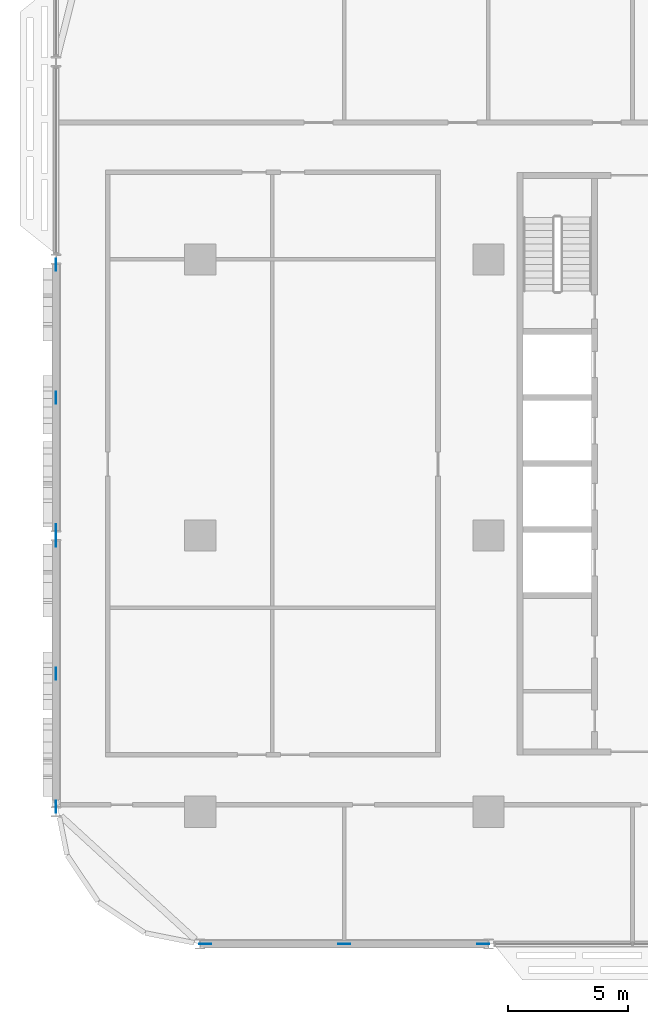
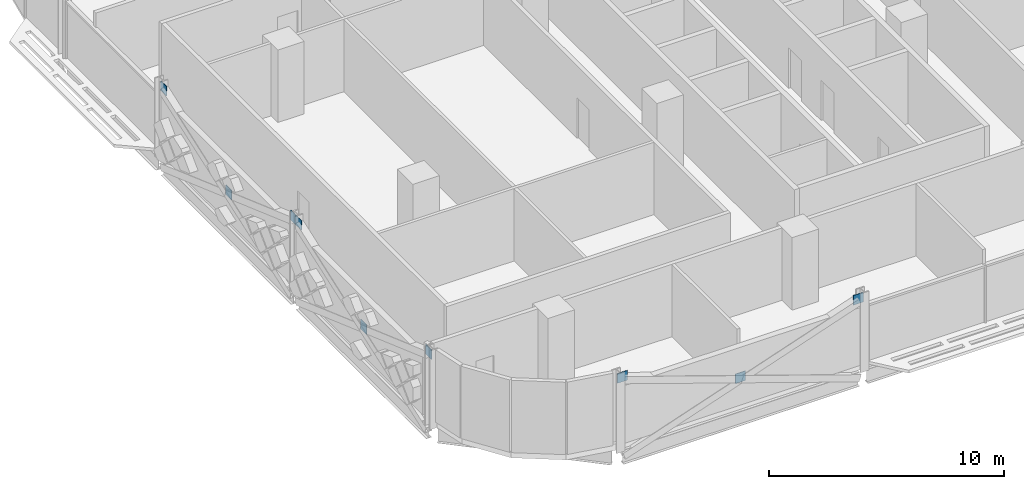
# One storey, part 19 of 28: 9 discrete accessories.
"""IFC4 building model written with IfcOpenShell, lengths in metres."""

from ifc_helpers import new_model, si_unit, direction, frame, origin, origin_2d, place, context, subcontext, project, spatial, rectangle, extrude, material, layer, layer_set, type_object, element, save


model = new_model("IFC4")

# Units and contexts
model_context = context("Model", 3, precision=1e-05, world=origin(), true_north=direction((0.0, 1.0)))
body_context = subcontext(model_context, "Body", "Model", "MODEL_VIEW")
ifc_project = project(units=[si_unit("LENGTHUNIT", "METRE"), si_unit("AREAUNIT", "SQUARE_METRE"), si_unit("VOLUMEUNIT", "CUBIC_METRE"), si_unit("PLANEANGLEUNIT", "RADIAN"), si_unit("MASSUNIT", "GRAM", prefix="KILO")], contexts=[model_context])

# Site, building, storey
site_placement = place(None, origin())
site = spatial("IfcSite", under=ifc_project, at=site_placement, CompositionType="ELEMENT")
building_placement = place(site_placement, origin())
building = spatial("IfcBuilding", under=site, at=building_placement, Name="Mahtab Terrace Research Tower", CompositionType="ELEMENT")
storey_placement = place(building_placement, frame((0.0, 0.0, 130.199951171875)))
storey = spatial("IfcBuildingStorey", under=building, at=storey_placement, Name="L30", CompositionType="ELEMENT", Elevation=130.199951171875)

# Discrete accessories
ifc_material = material(Name="Steel ASTM A992 Gr 50", Category="steel")
ifc_layer = layer(ifc_material, 0.030029296875)
ifc_layer_set = layer_set([ifc_layer], Name="Gusset plate 500x500x30")
discrete_accessory_type = type_object("IfcDiscreteAccessoryType", Name="Gusset plate 500x500x30", PredefinedType="USERDEFINED", material=ifc_layer_set)
for number, where, z_axis, x_axis, name in (
    (1, (-41.794189453125, -17.0, 3.131591796875), (0.0, 0.0, 1.0), (1.0, 0.0, 0.0), "Gusset plate"),
    (2, (-36.0, -17.0, 1.08154296875), (0.0, 0.0, 1.0), (1.0, 0.0, 0.0), "Gusset plate"),
    (3, (-30.205810546875, -17.0, 3.131591796875), (0.0, 0.0, 1.0), (1.0, 0.0, 0.0), "Gusset plate"),
    (4, (-48.0, -11.28271484375, 3.131591796875), (0.0, 0.0, 1.0), (0.0, 1.0, 0.0), "Gusset plate"),
    (5, (-48.0, -5.75, 1.08154296875), (0.0, 0.0, 1.0), (0.0, 1.0, 0.0), "Gusset plate"),
    (6, (-48.0, -0.21728515625, 3.131591796875), (0.0, 0.0, 1.0), (0.0, 1.0, 0.0), "Gusset plate"),
    (7, (-48.0, 0.21728515625, 3.131591796875), (0.0, 0.0, 1.0), (0.0, 1.0, 0.0), "Gusset plate"),
    (8, (-48.0, 5.75, 1.08154296875), (0.0, 0.0, 1.0), (0.0, 1.0, 0.0), "Gusset plate"),
    (9, (-48.0, 11.28271484375, 3.131591796875), (0.0, 0.0, 1.0), (0.0, 1.0, 0.0), "Gusset plate"),
):
    element("IfcDiscreteAccessory", number, at=place(storey_placement, frame(where, z_axis=z_axis, x_axis=x_axis)), inside=storey, type_object=discrete_accessory_type, Name=name, ObjectType="GUSSET PLATE", PredefinedType="USERDEFINED", context=body_context, shape_type="SweptSolid", body=[
        extrude(rectangle(XDim=0.5, YDim=0.030029296875, at=origin_2d()), origin(), (0.0, 0.0, 1.0), 0.5),
    ])

save(model, "model.ifc")
